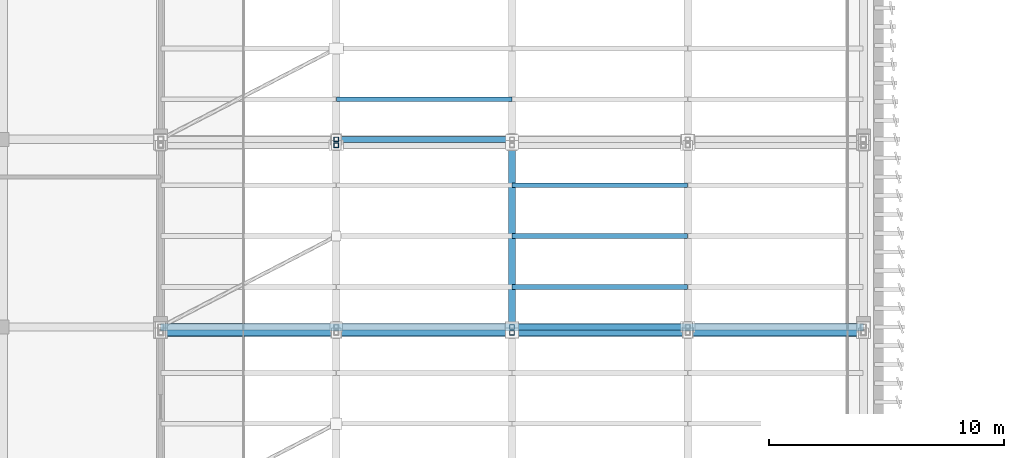
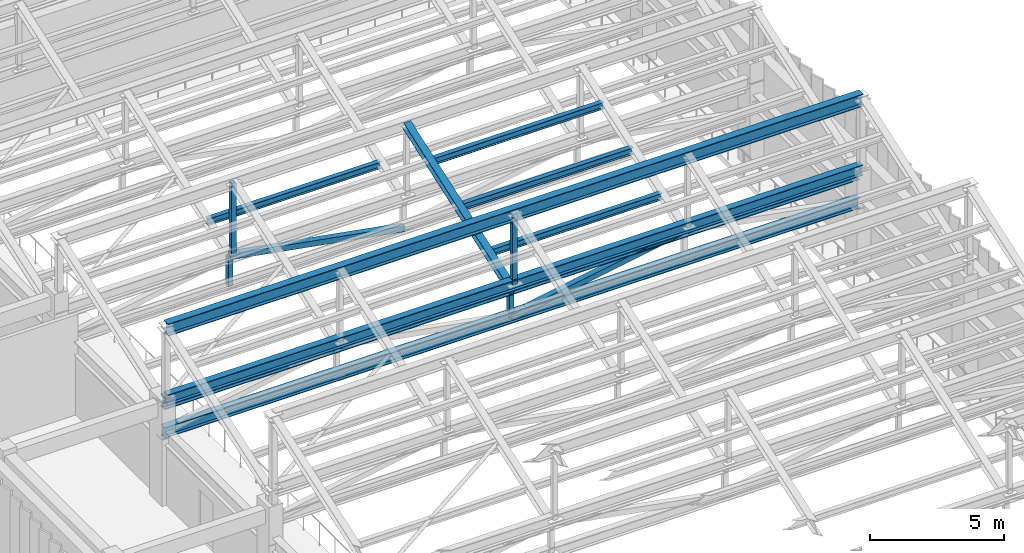
# One storey, part 10 of 76: 15 members.
"""IFC4 building model written with IfcOpenShell, lengths in metres."""

import ifcopenshell
import ifcopenshell.guid

model = None  # the IFC model being written
_history = None  # IfcOwnerHistory: only IFC2X3 demands one
_inside = {}  # id of a spatial element -> (the spatial element, [elements in it])
_under = {}  # id of a project, library or spatial element -> (it, [spatial elements below it])
_declared = {}  # id of a project -> (the project, [libraries it declares])
_typed = {}  # id of a type object -> (the type object, [elements of that type])
_made_of = {}  # id of a material, layer set ... -> (it, [elements and type objects made of it])


def new_model(schema):
    """Start an empty IFC model of exactly this schema.

    Asked for "IFC4X3", IfcOpenShell would pick the latest addendum, in which some entities
    have other attributes; the version numbers below select the first issue.
    IFC2X3 requires an IfcOwnerHistory on every rooted entity: one is made here for all.
    """
    global model, _history
    if schema == "IFC4X3":
        model = ifcopenshell.file(schema_version=(4, 3, 0, 0))
    else:
        model = ifcopenshell.file(schema=schema)
    _inside.clear()
    _under.clear()
    _declared.clear()
    _typed.clear()
    _made_of.clear()
    _history = None
    if model.schema == "IFC2X3":
        org = make("IfcOrganization", Name="unknown")
        user = make(
            "IfcPersonAndOrganization",
            ThePerson=make("IfcPerson", FamilyName="unknown"),
            TheOrganization=org,
        )
        app = make(
            "IfcApplication",
            ApplicationDeveloper=org,
            Version="unknown",
            ApplicationFullName="unknown",
            ApplicationIdentifier="unknown",
        )
        _history = make(
            "IfcOwnerHistory",
            OwningUser=user,
            OwningApplication=app,
            ChangeAction="ADDED",
            CreationDate=0,
        )
    return model


def make(cls, **values):
    """One entity of the class cls with the attributes given. An attribute that is None is left unset."""
    return model.create_entity(
        cls, **{name: value for name, value in values.items() if value is not None}
    )


def rooted(cls, **values):
    """An entity with a GlobalId (a new one), such as an element, a storey or a relation."""
    return make(cls, GlobalId=ifcopenshell.guid.new(), OwnerHistory=_history, **values)


def si_unit(unit_type, name, prefix=None):
    """IfcSIUnit, for example si_unit("LENGTHUNIT", "METRE", prefix="MILLI")."""
    return make("IfcSIUnit", UnitType=unit_type, Prefix=prefix, Name=name)


def assignment(units):
    """IfcUnitAssignment: the units of a project."""
    return None if units is None else make("IfcUnitAssignment", Units=units)


def point(xyz):
    """IfcCartesianPoint."""
    return None if xyz is None else make("IfcCartesianPoint", Coordinates=xyz)


def direction(xyz):
    """IfcDirection."""
    return None if xyz is None else make("IfcDirection", DirectionRatios=xyz)


def frame(location, z_axis=None, x_axis=None):
    """IfcAxis2Placement3D, a coordinate frame: its origin and axes. An axis left out is left unset."""
    return make(
        "IfcAxis2Placement3D",
        Location=point(location),
        Axis=direction(z_axis),
        RefDirection=direction(x_axis),
    )


def frame_2d(location, x_axis=None):
    """IfcAxis2Placement2D, a coordinate frame in the plane: its origin and x axis."""
    return make(
        "IfcAxis2Placement2D", Location=point(location), RefDirection=direction(x_axis)
    )


def origin():
    """The frame at (0, 0, 0) with its axes left unset."""
    return frame((0.0, 0.0, 0.0))


def origin_2d():
    """The frame at (0, 0) in the plane with its x axis left unset."""
    return frame_2d((0.0, 0.0))


def place(relative_to, where):
    """IfcLocalPlacement: puts the frame where relative to a parent placement (None: the world)."""
    return make(
        "IfcLocalPlacement", PlacementRelTo=relative_to, RelativePlacement=where
    )


def context(
    kind, dimensions, precision=None, world=None, true_north=None, identifier=None
):
    """IfcGeometricRepresentationContext, for example the 3D "Model" context."""
    return make(
        "IfcGeometricRepresentationContext",
        ContextIdentifier=identifier,
        ContextType=kind,
        CoordinateSpaceDimension=dimensions,
        Precision=precision,
        WorldCoordinateSystem=world,
        TrueNorth=true_north,
    )


def subcontext(parent, identifier, kind, view, scale=None):
    """IfcGeometricRepresentationSubContext, for example "Body" below "Model"."""
    return make(
        "IfcGeometricRepresentationSubContext",
        ContextIdentifier=identifier,
        ContextType=kind,
        ParentContext=parent,
        TargetScale=scale,
        TargetView=view,
    )


def project(units=None, contexts=None):
    """IfcProject with its units and contexts."""
    return rooted(
        "IfcProject",
        Name="project",
        RepresentationContexts=contexts,
        UnitsInContext=assignment(units),
    )


def spatial(cls, under=None, at=None, **own):
    """A site, building, storey or space (cls), placed at a placement, below another one or the project."""
    s = rooted(cls, ObjectPlacement=at, **own)
    if under is not None:
        _under.setdefault(under.id(), (under, []))[1].append(s)
    return s


def profile(cls, at=None, kind="AREA", **sizes):
    """A parametric profile (cls). Its sizes go by their IFC names, for example OverallWidth=200.0."""
    return make(cls, ProfileType=kind, Position=at, **sizes)


def hollow_rectangle(**sizes):
    """IfcRectangleHollowProfileDef."""
    return profile("IfcRectangleHollowProfileDef", **sizes)


def i_section(**sizes):
    """IfcIShapeProfileDef."""
    return profile("IfcIShapeProfileDef", **sizes)


def extrude(swept, where, along, depth):
    """IfcExtrudedAreaSolid: the profile swept, set in the frame where, extruded along a direction by depth."""
    return make(
        "IfcExtrudedAreaSolid",
        SweptArea=swept,
        Position=where,
        ExtrudedDirection=direction(along),
        Depth=depth,
    )


def shape(context_of_items, identifier, shape_type, items):
    """IfcShapeRepresentation: the items that make up one representation, for example the "Body"."""
    return make(
        "IfcShapeRepresentation",
        ContextOfItems=context_of_items,
        RepresentationIdentifier=identifier,
        RepresentationType=shape_type,
        Items=items,
    )


def material(Name=None, Category=None):
    """IfcMaterial."""
    return make("IfcMaterial", Name=Name, Category=Category)


def material_profile(
    of_material, cross_section, Name=None, Category=None, Priority=None
):
    """IfcMaterialProfile: a cross section and its material."""
    return make(
        "IfcMaterialProfile",
        Name=Name,
        Material=of_material,
        Profile=cross_section,
        Priority=Priority,
        Category=Category,
    )


def profile_set(profiles, Name=None, composite=None):
    """IfcMaterialProfileSet."""
    return make(
        "IfcMaterialProfileSet",
        Name=Name,
        MaterialProfiles=profiles,
        CompositeProfile=composite,
    )


def made_of(thing, what):
    """Note that an element or type object is made of a material, layer set ...; save() writes the relation."""
    if what is not None:
        _made_of.setdefault(what.id(), (what, []))[1].append(thing)
    return thing


def type_object(cls, material=None, **own):
    """A type object (cls), such as IfcWallType, which elements share."""
    return made_of(rooted(cls, **own), material)


def element(
    cls,
    number,
    at=None,
    inside=None,
    cuts=None,
    type_object=None,
    material=None,
    context=None,
    identifier="Body",
    shape_type=None,
    held_by="IfcProductDefinitionShape",
    body=None,
    shapes=None,
    **own,
):
    """One element of the class cls, such as IfcWall. Its Tag is "e" and its number.

    at: its placement. inside: the storey or other place that contains it. cuts: it is an
    opening in that element (IfcRelVoidsElement). A single representation is given by context,
    identifier, shape_type and body (its items); several are given by shapes. held_by: the class
    of the entity that holds the representations. save() writes the other relations.
    """
    e = rooted(cls, Tag="e%d" % number, ObjectPlacement=at, **own)
    if body is not None:
        shapes = [shape(context, identifier, shape_type, body)]
    if shapes is not None:
        e.Representation = make(held_by, Representations=shapes)
    if inside is not None:
        _inside.setdefault(inside.id(), (inside, []))[1].append(e)
    if cuts is not None:
        rooted(
            "IfcRelVoidsElement", RelatingBuildingElement=cuts, RelatedOpeningElement=e
        )
    if type_object is not None:
        _typed.setdefault(type_object.id(), (type_object, []))[1].append(e)
    return made_of(e, material)


def aggregate(whole, parts):
    """IfcRelAggregates: a whole, such as a stair, and the parts it consists of."""
    return rooted("IfcRelAggregates", RelatingObject=whole, RelatedObjects=parts)


def save(model, path):
    """Write the relations noted so far, then the file.

    IfcRelAggregates (storeys below a building ...), IfcRelContainedInSpatialStructure (elements
    in a storey), IfcRelDefinesByType, IfcRelAssociatesMaterial and IfcRelDeclares: one each for
    every whole, place, type object, material and project.
    """
    for whole, parts in _under.values():
        aggregate(whole, parts)
    for where, things in _inside.values():
        rooted(
            "IfcRelContainedInSpatialStructure",
            RelatedElements=things,
            RelatingStructure=where,
        )
    for kind, things in _typed.values():
        rooted("IfcRelDefinesByType", RelatedObjects=things, RelatingType=kind)
    for what, things in _made_of.values():
        rooted("IfcRelAssociatesMaterial", RelatedObjects=things, RelatingMaterial=what)
    for by, libraries in _declared.values():
        rooted("IfcRelDeclares", RelatingContext=by, RelatedDefinitions=libraries)
    model.write(path)


model = new_model("IFC4")

# Units and contexts
model_context = context("Model", 3, precision=1e-05, world=origin(), true_north=direction((0.0, 1.0)))
body_context = subcontext(model_context, "Body", "Model", "MODEL_VIEW")
ifc_project = project(units=[si_unit("LENGTHUNIT", "METRE"), si_unit("AREAUNIT", "SQUARE_METRE"), si_unit("VOLUMEUNIT", "CUBIC_METRE"), si_unit("PLANEANGLEUNIT", "RADIAN"), si_unit("MASSUNIT", "GRAM", prefix="KILO")], contexts=[model_context])

# Site, building, storey
site_placement = place(None, origin())
site = spatial("IfcSite", under=ifc_project, at=site_placement, CompositionType="ELEMENT")
building_placement = place(site_placement, origin())
building = spatial("IfcBuilding", under=site, at=building_placement, Name="Cinchona Park Media Centre", CompositionType="ELEMENT")
storey_placement = place(building_placement, frame((0.0, 0.0, 15.60009765625)))
storey = spatial("IfcBuildingStorey", under=building, at=storey_placement, Name="L03", CompositionType="ELEMENT", Elevation=15.60009765625)

# Members
ifc_material_1 = material(Name="Steel S355", Category="steel")
ifc_material_profile_1 = material_profile(ifc_material_1, i_section(OverallWidth=0.202880859375, OverallDepth=0.302978515625, WebThickness=0.007568359375, FlangeThickness=0.01318359375, at=origin_2d()), Name="W310X60")
ifc_profile_set_1 = profile_set([ifc_material_profile_1], Name="Steel S355")
member_type_1 = type_object("IfcMemberType", Name="MEMBER-PR01-W310X60", PredefinedType="PURLIN", material=ifc_profile_set_1)
for number, where, z_axis, x_axis, name in (
    (1, (30.389892578125, 41.304931640625, 4.912353515625), (1.0, 0.0, 0.0), (0.0, 1.0, 0.0), "Sawtooth Roof Purlin PR01"),
    (2, (30.389892578125, 43.47509765625, 5.66845703125), (1.0, 0.0, 0.0), (0.0, 1.0, 0.0), "Sawtooth Roof Purlin PR01"),
    (3, (30.389892578125, 45.64501953125, 6.42431640625), (1.0, 0.0, 0.0), (0.0, 1.0, 0.0), "Sawtooth Roof Purlin PR01"),
    (4, (22.89990234375, 49.304931640625, 4.1123046875), (1.0, 0.0, 0.0), (0.0, 1.0, 0.0), "Sawtooth Roof Purlin PR01"),
):
    element("IfcMember", number, at=place(storey_placement, frame(where, z_axis=z_axis, x_axis=x_axis)), inside=storey, type_object=member_type_1, Name=name, PredefinedType="PURLIN", context=body_context, shape_type="SweptSolid", body=[
        extrude(i_section(OverallWidth=0.202880859375, OverallDepth=0.302978515625, WebThickness=0.007568359375, FlangeThickness=0.01318359375, at=origin_2d()), origin(), (0.0, 0.0, 1.0), 7.47021484375),
    ])
ifc_material_2 = material(Name="Steel S355", Category="steel")
ifc_material_profile_2 = material_profile(ifc_material_2, i_section(OverallWidth=0.318115234375, OverallDepth=0.56005859375, WebThickness=0.018310546875, FlangeThickness=0.029296875, at=origin_2d()), Name="W530X219")
ifc_profile_set_2 = profile_set([ifc_material_profile_2], Name="Steel S355")
member_type_2 = type_object("IfcMemberType", Name="MEMBER-TC01-W530X219", PredefinedType="CHORD", material=ifc_profile_set_2)
for number, where, z_axis, x_axis, name in (
    (5, (15.39990234375, 39.35009765625, 7.89990234375), (1.0, 0.0, 0.0), (0.0, 1.0, 0.0), "ROOF TRUSS Ridge Chord V1 Bay 4"),
    (6, (15.39990234375, 39.60009765625, 4.39990234375), (1.0, 0.0, 0.0), (0.0, 1.0, 0.0), "ROOF TRUSS Top Chord V1 B5"),
):
    element("IfcMember", number, at=place(storey_placement, frame(where, z_axis=z_axis, x_axis=x_axis)), inside=storey, type_object=member_type_2, Name=name, PredefinedType="CHORD", context=body_context, shape_type="SweptSolid", body=[
        extrude(i_section(OverallWidth=0.318115234375, OverallDepth=0.56005859375, WebThickness=0.018310546875, FlangeThickness=0.029296875, at=origin_2d()), origin(), (0.0, 0.0, 1.0), 29.960205078125),
    ])
ifc_material_3 = material(Name="Steel S355", Category="steel")
ifc_material_profile_3 = material_profile(ifc_material_3, i_section(OverallWidth=0.285888671875, OverallDepth=0.48193359375, WebThickness=0.0166015625, FlangeThickness=0.02685546875, at=origin_2d()), Name="W460X177")
ifc_profile_set_3 = profile_set([ifc_material_profile_3], Name="Steel S355")
member_type_3 = type_object("IfcMemberType", Name="MEMBER-TC02-W460X177", PredefinedType="CHORD", material=ifc_profile_set_3)
for number, where, z_axis, x_axis, name in (
    (7, (15.39990234375, 39.35009765625, 4.699951171875), (1.0, 0.0, 0.0), (0.0, 1.0, 0.0), "ROOF TRUSS Monitor Sill Chord V1 Bay 4"),
    (8, (15.39990234375, 39.60009765625, 3.0498046875), (1.0, 0.0, 0.0), (0.0, 1.0, 0.0), "ROOF TRUSS Bottom Chord V1 B5"),
):
    element("IfcMember", number, at=place(storey_placement, frame(where, z_axis=z_axis, x_axis=x_axis)), inside=storey, type_object=member_type_3, Name=name, PredefinedType="CHORD", context=body_context, shape_type="SweptSolid", body=[
        extrude(i_section(OverallWidth=0.285888671875, OverallDepth=0.48193359375, WebThickness=0.0166015625, FlangeThickness=0.02685546875, at=origin_2d()), origin(), (0.0, 0.0, 1.0), 29.960205078125),
    ])
ifc_material_4 = material(Name="Steel S355", Category="steel")
ifc_material_profile_4 = material_profile(ifc_material_4, hollow_rectangle(XDim=0.199951171875, YDim=0.199951171875, WallThickness=0.012451171875, at=origin_2d()), Name="200X200X12.5SHS")
ifc_profile_set_4 = profile_set([ifc_material_profile_4], Name="Steel S355")
member_type_4 = type_object("IfcMemberType", Name="MEMBER-TS01-SHS200X200X12.5", PredefinedType="STRUT", material=ifc_profile_set_4)
member_1_placement = place(storey_placement, frame((30.3798828125, 39.35009765625, 4.699951171875), z_axis=(0.0, 0.0, 1.0), x_axis=(1.0, 0.0, 0.0)))
element("IfcMember", 9, at=member_1_placement, inside=storey, type_object=member_type_4, Name="ROOF TRUSS Monitor Post V1 Bay 4", PredefinedType="STRUT", context=body_context, shape_type="SweptSolid", body=[
    extrude(hollow_rectangle(XDim=0.199951171875, YDim=0.199951171875, WallThickness=0.012451171875, at=origin_2d()), origin(), (0.0, 0.0, 1.0), 3.199951171875),
])
member_2_placement = place(storey_placement, frame((30.3798828125, 39.60009765625, 3.0498046875), z_axis=(0.0, 0.0, 1.0), x_axis=(1.0, 0.0, 0.0)))
element("IfcMember", 10, at=member_2_placement, inside=storey, type_object=member_type_4, Name="ROOF TRUSS Vertical Strut TN2", PredefinedType="STRUT", context=body_context, shape_type="SweptSolid", body=[
    extrude(hollow_rectangle(XDim=0.199951171875, YDim=0.199951171875, WallThickness=0.012451171875, at=origin_2d()), origin(), (0.0, 0.0, 1.0), 1.35009765625),
])
member_3_placement = place(storey_placement, frame((22.889892578125, 47.35009765625, 3.89990234375), z_axis=(0.0, 0.0, 1.0), x_axis=(1.0, 0.0, 0.0)))
element("IfcMember", 11, at=member_3_placement, inside=storey, type_object=member_type_4, Name="ROOF TRUSS Monitor Post V1 Bay 5", PredefinedType="STRUT", context=body_context, shape_type="SweptSolid", body=[
    extrude(hollow_rectangle(XDim=0.199951171875, YDim=0.199951171875, WallThickness=0.012451171875, at=origin_2d()), origin(), (0.0, 0.0, 1.0), 3.199951171875),
])
member_4_placement = place(storey_placement, frame((22.889892578125, 47.60009765625, 2.25), z_axis=(0.0, 0.0, 1.0), x_axis=(1.0, 0.0, 0.0)))
element("IfcMember", 12, at=member_4_placement, inside=storey, type_object=member_type_4, Name="ROOF TRUSS Vertical Strut TN1", PredefinedType="STRUT", context=body_context, shape_type="SweptSolid", body=[
    extrude(hollow_rectangle(XDim=0.199951171875, YDim=0.199951171875, WallThickness=0.012451171875, at=origin_2d()), origin(), (0.0, 0.0, 1.0), 1.349853515625),
])
ifc_material_5 = material(Name="Steel S355", Category="steel")
ifc_material_profile_5 = material_profile(ifc_material_5, hollow_rectangle(XDim=0.25, YDim=0.25, WallThickness=0.01611328125, at=origin_2d()), Name="250X250X16SHS")
ifc_profile_set_5 = profile_set([ifc_material_profile_5], Name="Steel S355")
member_type_5 = type_object("IfcMemberType", Name="MEMBER-TS02-SHS250X250X16", PredefinedType="STRUT", material=ifc_profile_set_5)
member_5_placement = place(storey_placement, frame((30.3798828125, 39.60009765625, 3.0498046875), z_axis=(0.984140790649, 0.0, 0.177389132082), x_axis=(0.0, 1.0, 0.0)))
element("IfcMember", 13, at=member_5_placement, inside=storey, type_object=member_type_5, Name="ROOF TRUSS Web Diagonal TN3", PredefinedType="STRUT", context=body_context, shape_type="SweptSolid", body=[
    extrude(hollow_rectangle(XDim=0.25, YDim=0.25, WallThickness=0.01611328125, at=origin_2d()), origin(), (0.0, 0.0, 1.0), 7.61083984375),
])
member_6_placement = place(storey_placement, frame((22.889892578125, 47.60009765625, 3.599853515625), z_axis=(0.984145381083, 0.0, -0.177363662832), x_axis=(0.0, 1.0, 0.0)))
element("IfcMember", 14, at=member_6_placement, inside=storey, type_object=member_type_5, Name="ROOF TRUSS Web Diagonal TN2", PredefinedType="STRUT", context=body_context, shape_type="SweptSolid", body=[
    extrude(hollow_rectangle(XDim=0.25, YDim=0.25, WallThickness=0.01611328125, at=origin_2d()), origin(), (0.0, 0.0, 1.0), 7.610595703125),
])
ifc_material_6 = material(Name="Steel S355", Category="steel")
ifc_material_profile_6 = material_profile(ifc_material_6, i_section(OverallWidth=0.304931640625, OverallDepth=0.30810546875, WebThickness=0.010009765625, FlangeThickness=0.015380859375, at=origin_2d()), Name="W310X97")
ifc_profile_set_6 = profile_set([ifc_material_profile_6], Name="Steel S355")
member_type_6 = type_object("IfcMemberType", Name="MEMBER-TS06-W310X97", PredefinedType="STRUT", material=ifc_profile_set_6)
member_7_placement = place(storey_placement, frame((30.3798828125, 39.60009765625, 4.39990234375), z_axis=(0.0, 0.944334143314, 0.328987880888), x_axis=(-1.0, 0.0, 0.0)))
element("IfcMember", 15, at=member_7_placement, inside=storey, type_object=member_type_6, Name="ROOF TRUSS Sawtooth Rafter V1 Bay 5", PredefinedType="STRUT", context=body_context, shape_type="SweptSolid", body=[
    extrude(i_section(OverallWidth=0.304931640625, OverallDepth=0.30810546875, WebThickness=0.010009765625, FlangeThickness=0.015380859375, at=origin_2d()), origin(), (0.0, 0.0, 1.0), 8.206787109375),
])

save(model, "model.ifc")
